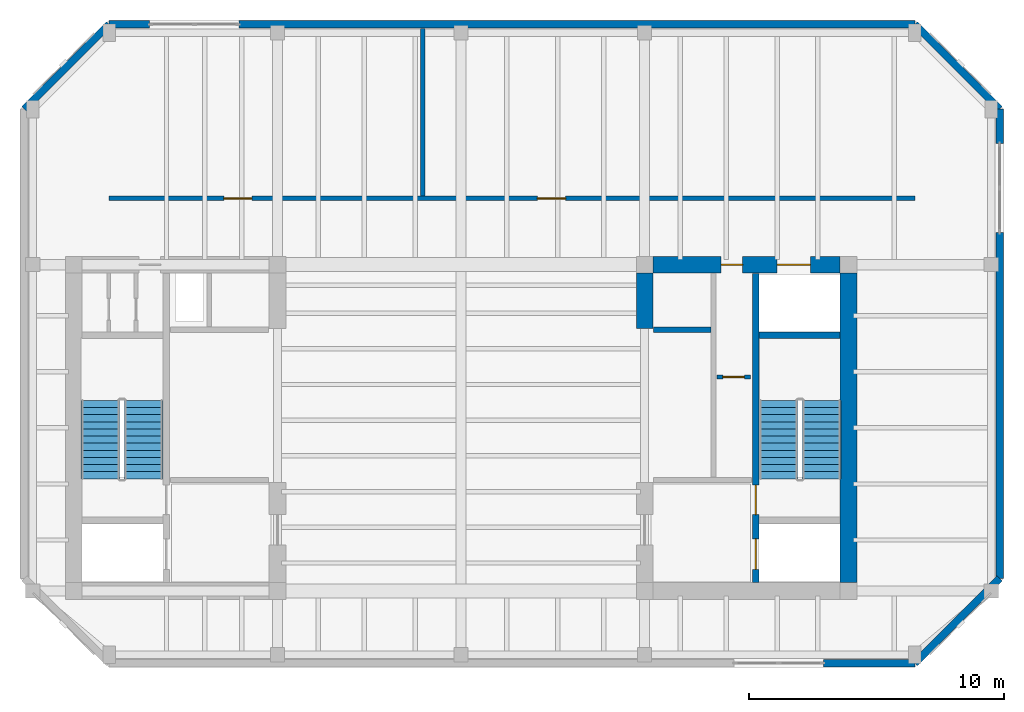
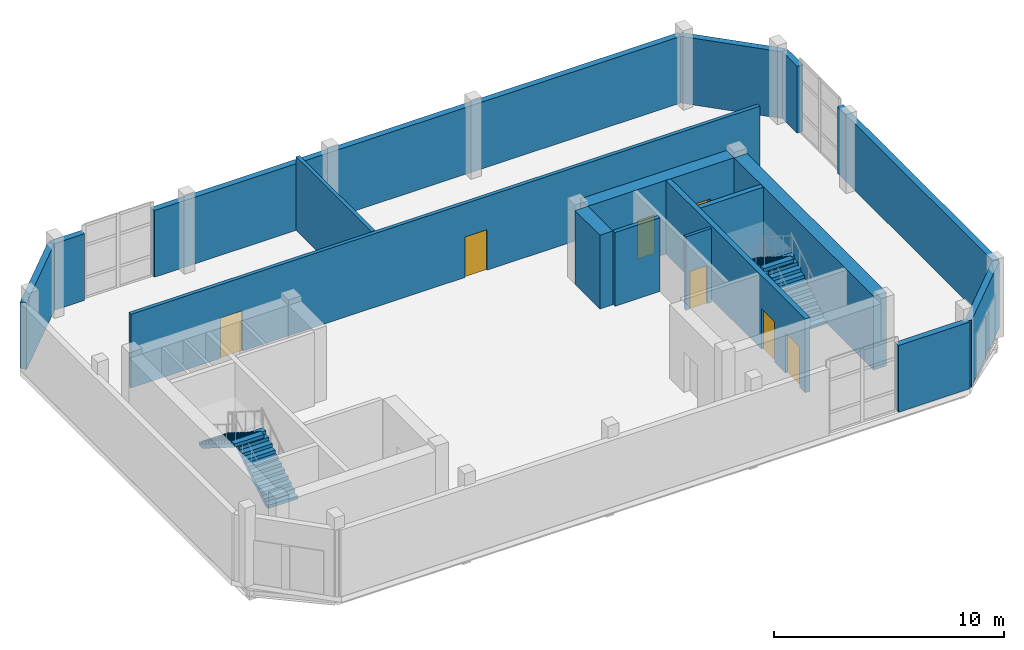
# One storey, part 6 of 8: 17 walls, 7 doors, 4 stair flights, 7 openings, 2 elements without a shape of their own.
"""IFC4 building model written with IfcOpenShell, lengths in metres."""

from ifc_helpers import new_model, si_unit, direction, frame, frame_2d, origin, place, context, subcontext, project, spatial, polyline, rectangle, outline, extrude, material, layer, layer_set, type_object, element, fill, aggregate, save


model = new_model("IFC4")

# Units and contexts
model_context = context("Model", 3, precision=1e-05, world=origin(), true_north=direction((0.0, 1.0)))
body_context = subcontext(model_context, "Body", "Model", "MODEL_VIEW")
ifc_project = project(units=[si_unit("LENGTHUNIT", "METRE"), si_unit("AREAUNIT", "SQUARE_METRE"), si_unit("VOLUMEUNIT", "CUBIC_METRE"), si_unit("PLANEANGLEUNIT", "RADIAN"), si_unit("MASSUNIT", "GRAM", prefix="KILO")], contexts=[model_context])

# Site, building, storey
site_placement = place(None, origin())
site = spatial("IfcSite", under=ifc_project, at=site_placement, CompositionType="ELEMENT")
building_placement = place(site_placement, origin())
building = spatial("IfcBuilding", under=site, at=building_placement, Name="Kranthara Brick Stack", CompositionType="ELEMENT")
storey_placement = place(building_placement, frame((0.0, 0.0, 300.60009765625)))
storey = spatial("IfcBuildingStorey", under=building, at=storey_placement, Name="L79", CompositionType="ELEMENT", Elevation=300.60009765625)

# Walls
ifc_material_1 = material(Name="Precast concrete C45/55", Category="concrete")
ifc_layer_1 = layer(ifc_material_1, 0.300048828125)
ifc_layer_set_1 = layer_set([ifc_layer_1], Name="Precast concrete C45/55")
wall_type_1 = type_object("IfcWallType", Name="WL-BRK-CRWN-300", PredefinedType="STANDARD", material=ifc_layer_set_1)
wall_1_placement = place(storey_placement, frame((45.800048828125, 17.969970703125, 0.0), z_axis=(0.0, 0.0, 1.0), x_axis=(-1.0, 0.0, 0.0)))
element("IfcWall", 1, at=wall_1_placement, inside=storey, type_object=wall_type_1, Name="L79 Exterior Brick Facade Wall SOUTH 1", PredefinedType="STANDARD", context=body_context, shape_type="SweptSolid", body=[
    extrude(rectangle(XDim=3.587158203125, YDim=0.300048828125, at=frame_2d((1.79345703125, 0.0))), origin(), (0.0, 0.0, 1.0), 3.544921875),
])
wall_2_placement = place(storey_placement, frame((10.8701171875, 39.699951171875, 0.0), z_axis=(0.0, 0.0, 1.0), x_axis=(0.707080859425, 0.707132701998, 0.0)))
element("IfcWall", 2, at=wall_2_placement, inside=storey, type_object=wall_type_1, Name="L79 Exterior Brick Facade Wall NW 1", PredefinedType="STANDARD", context=body_context, shape_type="SweptSolid", body=[
    extrude(rectangle(XDim=4.709228515625, YDim=0.300048828125, at=frame_2d((2.3544921875, 0.0))), origin(), (0.0, 0.0, 1.0), 3.544921875),
])
wall_3_placement = place(storey_placement, frame((14.199951171875, 43.030029296875, 0.0), z_axis=(0.0, 0.0, 1.0), x_axis=(1.0, 0.0, 0.0)))
element("IfcWall", 3, at=wall_3_placement, inside=storey, type_object=wall_type_1, Name="L79 Exterior Brick Facade Wall NORTH 1", PredefinedType="STANDARD", context=body_context, shape_type="SweptSolid", body=[
    extrude(rectangle(XDim=1.588134765625, YDim=0.300048828125, at=frame_2d((0.7939453125, 0.0))), origin(), (0.0, 0.0, 1.0), 3.544921875),
])
wall_4_placement = place(storey_placement, frame((19.2880859375, 43.030029296875, 0.0), z_axis=(0.0, 0.0, 1.0), x_axis=(1.0, 0.0, 0.0)))
element("IfcWall", 4, at=wall_4_placement, inside=storey, type_object=wall_type_1, Name="L79 Exterior Brick Facade Wall NORTH 2", PredefinedType="STANDARD", context=body_context, shape_type="SweptSolid", body=[
    extrude(rectangle(XDim=26.511962890625, YDim=0.300048828125, at=frame_2d((13.255859375, 0.0))), origin(), (0.0, 0.0, 1.0), 3.544921875),
])
wall_5_placement = place(storey_placement, frame((45.800048828125, 43.030029296875, 0.0), z_axis=(0.0, 0.0, 1.0), x_axis=(0.707080859425, -0.707132701998, 0.0)))
element("IfcWall", 5, at=wall_5_placement, inside=storey, type_object=wall_type_1, Name="L79 Exterior Brick Facade Wall NE 1", PredefinedType="STANDARD", context=body_context, shape_type="SweptSolid", body=[
    extrude(rectangle(XDim=4.709228515625, YDim=0.300048828125, at=frame_2d((2.3544921875, 0.0))), origin(), (0.0, 0.0, 1.0), 3.544921875),
])
wall_6_placement = place(storey_placement, frame((49.1298828125, 39.699951171875, 0.0), z_axis=(0.0, 0.0, 1.0), x_axis=(0.0, -1.0, 0.0)))
element("IfcWall", 6, at=wall_6_placement, inside=storey, type_object=wall_type_1, Name="L79 Exterior Brick Facade Wall EAST 1", PredefinedType="STANDARD", context=body_context, shape_type="SweptSolid", body=[
    extrude(rectangle(XDim=1.337890625, YDim=0.300048828125, at=frame_2d((0.6689453125, 0.0))), origin(), (0.0, 0.0, 1.0), 3.544921875),
])
wall_7_placement = place(storey_placement, frame((49.1298828125, 34.862060546875, 0.0), z_axis=(0.0, 0.0, 1.0), x_axis=(0.0, -1.0, 0.0)))
element("IfcWall", 7, at=wall_7_placement, inside=storey, type_object=wall_type_1, Name="L79 Exterior Brick Facade Wall EAST 2", PredefinedType="STANDARD", context=body_context, shape_type="SweptSolid", body=[
    extrude(rectangle(XDim=13.56201171875, YDim=0.300048828125, at=frame_2d((6.781005859375, 0.0))), origin(), (0.0, 0.0, 1.0), 3.544921875),
])
wall_8_placement = place(storey_placement, frame((49.1298828125, 21.300048828125, 0.0), z_axis=(0.0, 0.0, 1.0), x_axis=(-0.707080859425, -0.707132701998, 0.0)))
element("IfcWall", 8, at=wall_8_placement, inside=storey, type_object=wall_type_1, Name="L79 Exterior Brick Facade Wall SE 1", PredefinedType="STANDARD", context=body_context, shape_type="SweptSolid", body=[
    extrude(rectangle(XDim=4.709228515625, YDim=0.300048828125, at=frame_2d((2.3544921875, 0.0))), origin(), (0.0, 0.0, 1.0), 3.544921875),
])

# Wall, openings, doors
ifc_material_2 = material(Name="Concrete C50/60", Category="concrete")
ifc_layer_2 = layer(ifc_material_2, 0.25)
ifc_layer_set_2 = layer_set([ifc_layer_2], Name="Concrete C50/60")
wall_type_2 = type_object("IfcWallType", Name="WL-CORE-250", PredefinedType="SHEAR", material=ifc_layer_set_2)
wall_9_placement = place(storey_placement, frame((39.56494140625, 21.135009765625, 0.0), z_axis=(0.0, 0.0, 1.0), x_axis=(0.0, 1.0, 0.0)))
wall_9 = element("IfcWall", 9, at=wall_9_placement, inside=storey, type_object=wall_type_2, Name="L79 East Core Stair Bearing Spine Wall", PredefinedType="SHEAR", context=body_context, shape_type="SweptSolid", body=[
    extrude(rectangle(XDim=12.1298828125, YDim=0.25, at=frame_2d((6.06494140625, 0.0))), origin(), (0.0, 0.0, 1.0), 3.919921875),
])
opening_1_placement = place(wall_9_placement, frame((0.514892578125, 0.0, 0.0)))
opening_1 = element("IfcOpeningElement", 10, at=opening_1_placement, cuts=wall_9, Name="Opening LD01", PredefinedType="OPENING", context=body_context, shape_type="SweptSolid", body=[
    extrude(rectangle(XDim=1.199951171875, YDim=2.14990234375, at=frame_2d((0.60009765625, 1.074951171875))), frame((0.0, 0.135009765625, 0.0), z_axis=(0.0, -1.0, 0.0), x_axis=(1.0, 0.0, 0.0)), (0.0, 0.0, 1.0), 0.27001953125),
])
opening_2_placement = place(wall_9_placement, frame((2.6650390625, 0.0, 0.0)))
opening_2 = element("IfcOpeningElement", 11, at=opening_2_placement, cuts=wall_9, Name="Opening D05", PredefinedType="OPENING", context=body_context, shape_type="SweptSolid", body=[
    extrude(rectangle(XDim=1.14990234375, YDim=2.14990234375, at=frame_2d((0.574951171875, 1.074951171875))), frame((0.0, 0.135009765625, 0.0), z_axis=(0.0, -1.0, 0.0), x_axis=(1.0, 0.0, 0.0)), (0.0, 0.0, 1.0), 0.27001953125),
])
ifc_material_3 = material(Name="Stainless steel sliding landing door", Category="steel")
door_type_1 = type_object("IfcDoorType", Name="DR-LD-FF1200", OperationType="DOUBLE_DOOR_SLIDING", PredefinedType="DOOR", material=ifc_material_3)
door_1_placement = place(opening_1_placement, origin())
door_1 = element("IfcDoor", 12, at=door_1_placement, inside=storey, type_object=door_type_1, Name="L79 Firefighting Lift FF-02 Landing Door", OperationType="DOUBLE_DOOR_SLIDING", OverallHeight=2.14990234375, OverallWidth=1.199951171875, PredefinedType="DOOR", context=body_context, shape_type="SweptSolid", body=[
    extrude(rectangle(XDim=1.199951171875, YDim=2.14990234375, at=frame_2d((0.60009765625, 1.074951171875))), frame((0.0, 0.02490234375, 0.0), z_axis=(0.0, -1.0, 0.0), x_axis=(1.0, 0.0, 0.0)), (0.0, 0.0, 1.0), 0.050048828125),
])
fill(opening_1, door_1)
ifc_material_4 = material(Name="Solid-core hardwood timber leaf in steel frame", Category="steel")
door_type_2 = type_object("IfcDoorType", Name="DR-ST-1150", OperationType="NOTDEFINED", PredefinedType="DOOR", material=ifc_material_4)
door_2_placement = place(opening_2_placement, origin())
door_2 = element("IfcDoor", 13, at=door_2_placement, inside=storey, type_object=door_type_2, Name="L79 Exit Stair ST02 Door", OperationType="SINGLE_SWING_LEFT", OverallHeight=2.14990234375, OverallWidth=1.14990234375, PredefinedType="DOOR", context=body_context, shape_type="SweptSolid", body=[
    extrude(rectangle(XDim=1.14990234375, YDim=2.14990234375, at=frame_2d((0.574951171875, 1.074951171875))), frame((0.0, 0.02490234375, 0.0), z_axis=(0.0, -1.0, 0.0), x_axis=(1.0, 0.0, 0.0)), (0.0, 0.0, 1.0), 0.050048828125),
])
fill(opening_2, door_2)

# Walls
wall_10_placement = place(storey_placement, frame((39.68994140625, 30.830078125, 0.0), z_axis=(0.0, 0.0, 1.0), x_axis=(1.0, 0.0, 0.0)))
element("IfcWall", 14, at=wall_10_placement, inside=storey, type_object=wall_type_2, Name="L79 East Stairwell Bearing Wall EST", PredefinedType="SHEAR", context=body_context, shape_type="SweptSolid", body=[
    extrude(rectangle(XDim=3.175048828125, YDim=0.25, at=frame_2d((1.58740234375, 0.0))), origin(), (0.0, 0.0, 1.0), 3.919921875),
])
ifc_material_5 = material(Name="Concrete C60/75", Category="concrete")
ifc_layer_3 = layer(ifc_material_5, 0.64990234375)
ifc_layer_set_3 = layer_set([ifc_layer_3], Name="Concrete C60/75")
wall_type_3 = type_object("IfcWallType", Name="WL-CORE-650", PredefinedType="SHEAR", material=ifc_layer_set_3)
wall_11_placement = place(storey_placement, frame((43.199951171875, 21.1298828125, 0.0), z_axis=(0.0, 0.0, 1.0), x_axis=(0.0, 1.0, 0.0)))
element("IfcWall", 15, at=wall_11_placement, inside=storey, type_object=wall_type_3, Name="L79 East Core Shear Wall East", PredefinedType="SHEAR", context=body_context, shape_type="SweptSolid", body=[
    extrude(rectangle(XDim=12.14013671875, YDim=0.64990234375, at=frame_2d((6.070068359375, 0.0))), origin(), (0.0, 0.0, 1.0), 3.919921875),
])

# Wall, openings, doors
wall_12_placement = place(storey_placement, frame((35.530029296875, 33.60009765625, 0.0), z_axis=(0.0, 0.0, 1.0), x_axis=(1.0, 0.0, 0.0)))
wall_12 = element("IfcWall", 16, at=wall_12_placement, inside=storey, type_object=wall_type_3, Name="L79 East Core Shear Wall North", PredefinedType="SHEAR", context=body_context, shape_type="SweptSolid", body=[
    extrude(rectangle(XDim=7.340087890625, YDim=0.64990234375, at=frame_2d((3.669921875, 0.0))), origin(), (0.0, 0.0, 1.0), 3.919921875),
])
opening_3_placement = place(wall_12_placement, frame((4.8701171875, 0.0, 0.0)))
opening_3 = element("IfcOpeningElement", 17, at=opening_3_placement, cuts=wall_12, Name="Opening LD03", PredefinedType="OPENING", context=body_context, shape_type="SweptSolid", body=[
    extrude(rectangle(XDim=1.300048828125, YDim=2.14990234375, at=frame_2d((0.64990234375, 1.074951171875))), frame((0.0, 0.3349609375, 0.0), z_axis=(0.0, -1.0, 0.0), x_axis=(1.0, 0.0, 0.0)), (0.0, 0.0, 1.0), 0.669921875),
])
opening_4_placement = place(wall_12_placement, frame((2.669921875, 0.0, 0.0)))
opening_4 = element("IfcOpeningElement", 18, at=opening_4_placement, cuts=wall_12, Name="Opening D10", PredefinedType="OPENING", context=body_context, shape_type="SweptSolid", body=[
    extrude(rectangle(XDim=0.85009765625, YDim=2.02001953125, at=frame_2d((0.425048828125, 1.010009765625))), frame((0.0, 0.3349609375, 0.0), z_axis=(0.0, -1.0, 0.0), x_axis=(1.0, 0.0, 0.0)), (0.0, 0.0, 1.0), 0.669921875),
])
ifc_material_6 = material(Name="Stainless steel sliding landing door", Category="steel")
door_type_3 = type_object("IfcDoorType", Name="DR-LD-SV1300", OperationType="DOUBLE_DOOR_SLIDING", PredefinedType="DOOR", material=ifc_material_6)
door_3_placement = place(opening_3_placement, origin())
door_3 = element("IfcDoor", 19, at=door_3_placement, inside=storey, type_object=door_type_3, Name="L79 Stretcher Service Lift SV-01 Landing Door", OperationType="DOUBLE_DOOR_SLIDING", OverallHeight=2.14990234375, OverallWidth=1.300048828125, PredefinedType="DOOR", context=body_context, shape_type="SweptSolid", body=[
    extrude(rectangle(XDim=1.300048828125, YDim=2.14990234375, at=frame_2d((0.64990234375, 1.074951171875))), frame((0.0, 0.02490234375, 0.0), z_axis=(0.0, -1.0, 0.0), x_axis=(1.0, 0.0, 0.0)), (0.0, 0.0, 1.0), 0.050048828125),
])
fill(opening_3, door_3)
ifc_material_7 = material(Name="Solid-core hardwood timber leaf in steel frame", Category="steel")
door_type_4 = type_object("IfcDoorType", Name="DR-RSR-850", OperationType="NOTDEFINED", PredefinedType="DOOR", material=ifc_material_7)
door_4_placement = place(opening_4_placement, origin())
door_4 = element("IfcDoor", 20, at=door_4_placement, inside=storey, type_object=door_type_4, Name="L79 East Core Service Room Door", OperationType="SINGLE_SWING_LEFT", OverallHeight=2.02001953125, OverallWidth=0.85009765625, PredefinedType="DOOR", context=body_context, shape_type="SweptSolid", body=[
    extrude(rectangle(XDim=0.85009765625, YDim=2.02001953125, at=frame_2d((0.425048828125, 1.010009765625))), frame((0.0, 0.02490234375, 0.0), z_axis=(0.0, -1.0, 0.0), x_axis=(1.0, 0.0, 0.0)), (0.0, 0.0, 1.0), 0.050048828125),
])
fill(opening_4, door_4)

# Wall
wall_13_placement = place(storey_placement, frame((35.199951171875, 31.10009765625, 0.0), z_axis=(0.0, 0.0, 1.0), x_axis=(0.0, 1.0, 0.0)))
element("IfcWall", 21, at=wall_13_placement, inside=storey, type_object=wall_type_3, Name="L79 East Core High-Rise Lift Wall", PredefinedType="SHEAR", context=body_context, shape_type="SweptSolid", body=[
    extrude(rectangle(XDim=2.169921875, YDim=0.64990234375, at=frame_2d((1.0849609375, 0.0))), origin(), (0.0, 0.0, 1.0), 3.919921875),
])

# Wall, opening, door
ifc_material_8 = material(Name="Fire-rated gypsum board partition", Category="other")
ifc_layer_4 = layer(ifc_material_8, 0.14990234375)
ifc_layer_set_4 = layer_set([ifc_layer_4], Name="Fire-rated gypsum board partition")
wall_type_4 = type_object("IfcWallType", Name="WL-PART-150", PredefinedType="PARTITIONING", material=ifc_layer_set_4)
wall_14_placement = place(storey_placement, frame((38.050048828125, 29.199951171875, 0.0), z_axis=(0.0, 0.0, 1.0), x_axis=(1.0, 0.0, 0.0)))
wall_14 = element("IfcWall", 22, at=wall_14_placement, inside=storey, type_object=wall_type_4, Name="L79 Interior Partition 003", PredefinedType="PARTITIONING", context=body_context, shape_type="SweptSolid", body=[
    extrude(rectangle(XDim=1.300048828125, YDim=0.14990234375, at=frame_2d((0.64990234375, 0.0))), origin(), (0.0, 0.0, 1.0), 3.919921875),
])
opening_5_placement = place(wall_14_placement, frame((0.219970703125, 0.0, 0.0)))
opening_5 = element("IfcOpeningElement", 23, at=opening_5_placement, cuts=wall_14, Name="Opening D10", PredefinedType="OPENING", context=body_context, shape_type="SweptSolid", body=[
    extrude(rectangle(XDim=0.85009765625, YDim=2.02001953125, at=frame_2d((0.425048828125, 1.010009765625))), frame((0.0, 0.0849609375, 0.0), z_axis=(0.0, -1.0, 0.0), x_axis=(1.0, 0.0, 0.0)), (0.0, 0.0, 1.0), 0.169921875),
])
door_5_placement = place(opening_5_placement, origin())
door_5 = element("IfcDoor", 24, at=door_5_placement, inside=storey, type_object=door_type_4, Name="L79 East Service Door 03", OperationType="SINGLE_SWING_LEFT", OverallHeight=2.02001953125, OverallWidth=0.85009765625, PredefinedType="DOOR", context=body_context, shape_type="SweptSolid", body=[
    extrude(rectangle(XDim=0.85009765625, YDim=2.02001953125, at=frame_2d((0.425048828125, 1.010009765625))), frame((0.0, 0.02490234375, 0.0), z_axis=(0.0, -1.0, 0.0), x_axis=(1.0, 0.0, 0.0)), (0.0, 0.0, 1.0), 0.050048828125),
])
fill(opening_5, door_5)

# Wall, openings, doors
ifc_material_9 = material(Name="Gypsum plasterboard on acoustic twin stud", Category="other")
ifc_layer_5 = layer(ifc_material_9, 0.179931640625)
ifc_layer_set_5 = layer_set([ifc_layer_5], Name="Gypsum plasterboard on acoustic twin stud")
wall_type_5 = type_object("IfcWallType", Name="WL-PART-180", PredefinedType="PARTITIONING", material=ifc_layer_set_5)
wall_15_placement = place(storey_placement, frame((14.199951171875, 36.199951171875, 0.0), z_axis=(0.0, 0.0, 1.0), x_axis=(1.0, 0.0, 0.0)))
wall_15 = element("IfcWall", 25, at=wall_15_placement, inside=storey, type_object=wall_type_5, Name="L79 Interior Partition 004", PredefinedType="PARTITIONING", context=body_context, shape_type="SweptSolid", body=[
    extrude(rectangle(XDim=31.60009765625, YDim=0.179931640625, at=frame_2d((15.800048828125, 0.0))), origin(), (0.0, 0.0, 1.0), 3.919921875),
])
opening_6_placement = place(wall_15_placement, frame((4.5, 0.0, 0.0)))
opening_6 = element("IfcOpeningElement", 26, at=opening_6_placement, cuts=wall_15, Name="Opening D07", PredefinedType="OPENING", context=body_context, shape_type="SweptSolid", body=[
    extrude(rectangle(XDim=1.10009765625, YDim=2.14990234375, at=frame_2d((0.550048828125, 1.074951171875))), frame((0.0, 0.099853515625, 0.0), z_axis=(0.0, -1.0, 0.0), x_axis=(1.0, 0.0, 0.0)), (0.0, 0.0, 1.0), 0.199951171875),
])
opening_7_placement = place(wall_15_placement, frame((16.800048828125, 0.0, 0.0)))
opening_7 = element("IfcOpeningElement", 27, at=opening_7_placement, cuts=wall_15, Name="Opening D07", PredefinedType="OPENING", context=body_context, shape_type="SweptSolid", body=[
    extrude(rectangle(XDim=1.10009765625, YDim=2.14990234375, at=frame_2d((0.550048828125, 1.074951171875))), frame((0.0, 0.099853515625, 0.0), z_axis=(0.0, -1.0, 0.0), x_axis=(1.0, 0.0, 0.0)), (0.0, 0.0, 1.0), 0.199951171875),
])
ifc_material_10 = material(Name="Solid-core hardwood timber leaf in steel frame", Category="steel")
door_type_5 = type_object("IfcDoorType", Name="DR-FD-1100", OperationType="NOTDEFINED", PredefinedType="DOOR", material=ifc_material_10)
door_6_placement = place(opening_6_placement, origin())
door_6 = element("IfcDoor", 28, at=door_6_placement, inside=storey, type_object=door_type_5, Name="L79 Crown Cooling Plant Door 04", OperationType="SINGLE_SWING_RIGHT", OverallHeight=2.14990234375, OverallWidth=1.10009765625, PredefinedType="DOOR", context=body_context, shape_type="SweptSolid", body=[
    extrude(rectangle(XDim=1.10009765625, YDim=2.14990234375, at=frame_2d((0.550048828125, 1.074951171875))), frame((0.0, 0.02490234375, 0.0), z_axis=(0.0, -1.0, 0.0), x_axis=(1.0, 0.0, 0.0)), (0.0, 0.0, 1.0), 0.050048828125),
])
fill(opening_6, door_6)
door_7_placement = place(opening_7_placement, origin())
door_7 = element("IfcDoor", 29, at=door_7_placement, inside=storey, type_object=door_type_5, Name="L79 Crown Lift Machine Door 05", OperationType="SINGLE_SWING_LEFT", OverallHeight=2.14990234375, OverallWidth=1.10009765625, PredefinedType="DOOR", context=body_context, shape_type="SweptSolid", body=[
    extrude(rectangle(XDim=1.10009765625, YDim=2.14990234375, at=frame_2d((0.550048828125, 1.074951171875))), frame((0.0, 0.02490234375, 0.0), z_axis=(0.0, -1.0, 0.0), x_axis=(1.0, 0.0, 0.0)), (0.0, 0.0, 1.0), 0.050048828125),
])
fill(opening_7, door_7)

# Walls
wall_16_placement = place(storey_placement, frame((26.5, 36.300048828125, 0.0), z_axis=(0.0, 0.0, 1.0), x_axis=(0.0, 1.0, 0.0)))
element("IfcWall", 30, at=wall_16_placement, inside=storey, type_object=wall_type_5, Name="L79 Interior Partition 005", PredefinedType="PARTITIONING", context=body_context, shape_type="SweptSolid", body=[
    extrude(rectangle(XDim=6.574951171875, YDim=0.179931640625, at=frame_2d((3.28759765625, 0.0))), origin(), (0.0, 0.0, 1.0), 3.919921875),
])
ifc_material_11 = material(Name="Concrete C40/50", Category="concrete")
ifc_layer_6 = layer(ifc_material_11, 0.199951171875)
ifc_layer_set_6 = layer_set([ifc_layer_6], Name="Concrete C40/50")
wall_type_6 = type_object("IfcWallType", Name="WL-PART-200", PredefinedType="SOLIDWALL", material=ifc_layer_set_6)
wall_17_placement = place(storey_placement, frame((35.550048828125, 31.050048828125, 0.0), z_axis=(0.0, 0.0, 1.0), x_axis=(1.0, 0.0, 0.0)))
element("IfcWall", 31, at=wall_17_placement, inside=storey, type_object=wall_type_6, Name="L79 East Core Cross Wall EE4", PredefinedType="SOLIDWALL", context=body_context, shape_type="SweptSolid", body=[
    extrude(rectangle(XDim=2.25, YDim=0.199951171875, at=frame_2d((1.125, 0.0))), origin(), (0.0, 0.0, 1.0), 3.919921875),
])

# Stair, stair flights
ifc_material_12 = material(Name="Concrete C45/55", Category="concrete")
stair_type = type_object("IfcStairType", Name="ST-CORE-24R", PredefinedType="HALF_TURN_STAIR", material=ifc_material_12)
stair_1_placement = place(storey_placement, origin())
stair_1 = element("IfcStair", 32, at=stair_1_placement, inside=storey, type_object=stair_type, Name="L79 West Core Protected Exit Stair ST01", PredefinedType="HALF_TURN_STAIR")
ifc_material_13 = material(Name="Concrete C45/55", Category="concrete")
stair_flight_type = type_object("IfcStairFlightType", Name="SFL-RC-24R", PredefinedType="STRAIGHT", material=ifc_material_13)
stair_flight_1_placement = place(storey_placement, frame((15.550048828125, 25.199951171875, 0.0), z_axis=(0.0, 0.0, 1.0), x_axis=(0.0, 1.0, 0.0)))
stair_flight_1 = element("IfcStairFlight", 33, at=stair_flight_1_placement, type_object=stair_flight_type, Name="ST01 flight 1", NumberOfRisers=12, NumberOfTreads=11, PredefinedType="STRAIGHT", RiserHeight=0.175, TreadLength=0.28, context=body_context, shape_type="SweptSolid", body=[
    extrude(outline(polyline([(0.0, 0.0), (0.0, 0.175048828125), (0.280029296875, 0.175048828125), (0.280029296875, 0.35009765625), (0.56005859375, 0.35009765625), (0.56005859375, 0.52490234375), (0.840087890625, 0.52490234375), (0.840087890625, 0.699951171875), (1.1201171875, 0.699951171875), (1.1201171875, 0.875), (1.39990234375, 0.875), (1.39990234375, 1.050048828125), (1.679931640625, 1.050048828125), (1.679931640625, 1.22509765625), (1.9599609375, 1.22509765625), (1.9599609375, 1.39990234375), (2.239990234375, 1.39990234375), (2.239990234375, 1.574951171875), (2.52001953125, 1.574951171875), (2.52001953125, 1.75), (2.800048828125, 1.75), (2.800048828125, 1.925048828125), (3.080078125, 1.925048828125), (3.080078125, 2.10009765625), (3.080078125, 1.748291015625), (0.28271484375, 0.0), (0.0, 0.0)])), frame((0.0, 0.75, 0.0), z_axis=(0.0, -1.0, 0.0), x_axis=(1.0, 0.0, 0.0)), (0.0, 0.0, 1.0), 1.5),
])
stair_flight_2_placement = place(storey_placement, frame((13.85009765625, 28.280029296875, 2.099853515625), z_axis=(0.0, 0.0, 1.0), x_axis=(0.0, -1.0, 0.0)))
stair_flight_2 = element("IfcStairFlight", 34, at=stair_flight_2_placement, type_object=stair_flight_type, Name="ST01 flight 2", NumberOfRisers=12, NumberOfTreads=11, PredefinedType="STRAIGHT", RiserHeight=0.175, TreadLength=0.28, context=body_context, shape_type="SweptSolid", body=[
    extrude(outline(polyline([(0.0, 0.0), (0.0, 0.175048828125), (0.280029296875, 0.175048828125), (0.280029296875, 0.35009765625), (0.56005859375, 0.35009765625), (0.56005859375, 0.52490234375), (0.840087890625, 0.52490234375), (0.840087890625, 0.699951171875), (1.1201171875, 0.699951171875), (1.1201171875, 0.875), (1.39990234375, 0.875), (1.39990234375, 1.050048828125), (1.679931640625, 1.050048828125), (1.679931640625, 1.22509765625), (1.9599609375, 1.22509765625), (1.9599609375, 1.39990234375), (2.239990234375, 1.39990234375), (2.239990234375, 1.574951171875), (2.52001953125, 1.574951171875), (2.52001953125, 1.75), (2.800048828125, 1.75), (2.800048828125, 1.925048828125), (3.080078125, 1.925048828125), (3.080078125, 2.10009765625), (3.080078125, 1.748291015625), (0.28271484375, 0.0), (0.0, 0.0)])), frame((0.0, 0.75, 0.0), z_axis=(0.0, -1.0, 0.0), x_axis=(1.0, 0.0, 0.0)), (0.0, 0.0, 1.0), 1.5),
])
aggregate(stair_1, [stair_flight_1, stair_flight_2])

stair_2_placement = place(storey_placement, origin())
stair_2 = element("IfcStair", 35, at=stair_2_placement, inside=storey, type_object=stair_type, Name="L79 East Core Protected Exit Stair ST02", PredefinedType="HALF_TURN_STAIR")
stair_flight_3_placement = place(storey_placement, frame((42.14990234375, 25.199951171875, 0.0), z_axis=(0.0, 0.0, 1.0), x_axis=(0.0, 1.0, 0.0)))
stair_flight_3 = element("IfcStairFlight", 36, at=stair_flight_3_placement, type_object=stair_flight_type, Name="ST02 flight 1", NumberOfRisers=12, NumberOfTreads=11, PredefinedType="STRAIGHT", RiserHeight=0.175, TreadLength=0.28, context=body_context, shape_type="SweptSolid", body=[
    extrude(outline(polyline([(0.0, 0.0), (0.0, 0.175048828125), (0.280029296875, 0.175048828125), (0.280029296875, 0.35009765625), (0.56005859375, 0.35009765625), (0.56005859375, 0.52490234375), (0.840087890625, 0.52490234375), (0.840087890625, 0.699951171875), (1.1201171875, 0.699951171875), (1.1201171875, 0.875), (1.39990234375, 0.875), (1.39990234375, 1.050048828125), (1.679931640625, 1.050048828125), (1.679931640625, 1.22509765625), (1.9599609375, 1.22509765625), (1.9599609375, 1.39990234375), (2.239990234375, 1.39990234375), (2.239990234375, 1.574951171875), (2.52001953125, 1.574951171875), (2.52001953125, 1.75), (2.800048828125, 1.75), (2.800048828125, 1.925048828125), (3.080078125, 1.925048828125), (3.080078125, 2.10009765625), (3.080078125, 1.748291015625), (0.28271484375, 0.0), (0.0, 0.0)])), frame((0.0, 0.75, 0.0), z_axis=(0.0, -1.0, 0.0), x_axis=(1.0, 0.0, 0.0)), (0.0, 0.0, 1.0), 1.5),
])
stair_flight_4_placement = place(storey_placement, frame((40.449951171875, 28.280029296875, 2.099853515625), z_axis=(0.0, 0.0, 1.0), x_axis=(0.0, -1.0, 0.0)))
stair_flight_4 = element("IfcStairFlight", 37, at=stair_flight_4_placement, type_object=stair_flight_type, Name="ST02 flight 2", NumberOfRisers=12, NumberOfTreads=11, PredefinedType="STRAIGHT", RiserHeight=0.175, TreadLength=0.28, context=body_context, shape_type="SweptSolid", body=[
    extrude(outline(polyline([(0.0, 0.0), (0.0, 0.175048828125), (0.280029296875, 0.175048828125), (0.280029296875, 0.35009765625), (0.56005859375, 0.35009765625), (0.56005859375, 0.52490234375), (0.840087890625, 0.52490234375), (0.840087890625, 0.699951171875), (1.1201171875, 0.699951171875), (1.1201171875, 0.875), (1.39990234375, 0.875), (1.39990234375, 1.050048828125), (1.679931640625, 1.050048828125), (1.679931640625, 1.22509765625), (1.9599609375, 1.22509765625), (1.9599609375, 1.39990234375), (2.239990234375, 1.39990234375), (2.239990234375, 1.574951171875), (2.52001953125, 1.574951171875), (2.52001953125, 1.75), (2.800048828125, 1.75), (2.800048828125, 1.925048828125), (3.080078125, 1.925048828125), (3.080078125, 2.10009765625), (3.080078125, 1.748291015625), (0.28271484375, 0.0), (0.0, 0.0)])), frame((0.0, 0.75, 0.0), z_axis=(0.0, -1.0, 0.0), x_axis=(1.0, 0.0, 0.0)), (0.0, 0.0, 1.0), 1.5),
])
aggregate(stair_2, [stair_flight_3, stair_flight_4])

save(model, "model.ifc")
